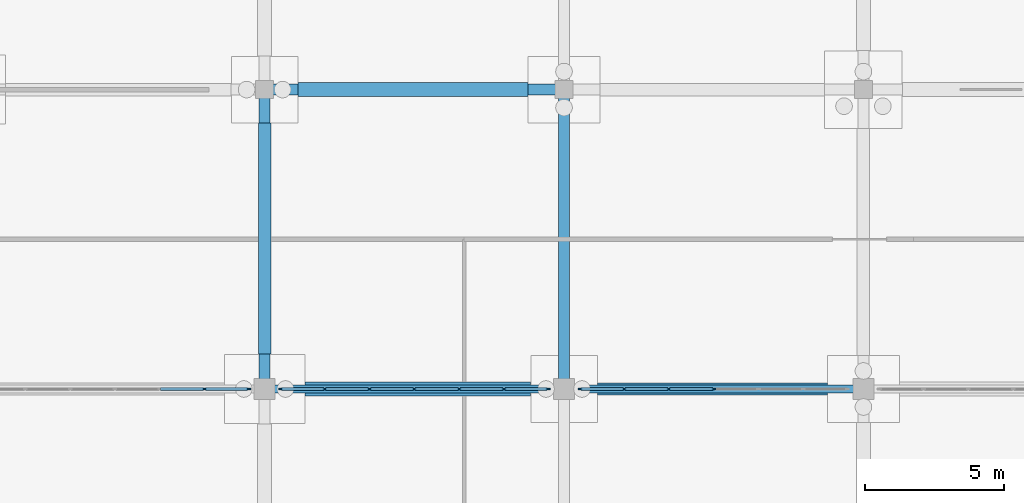
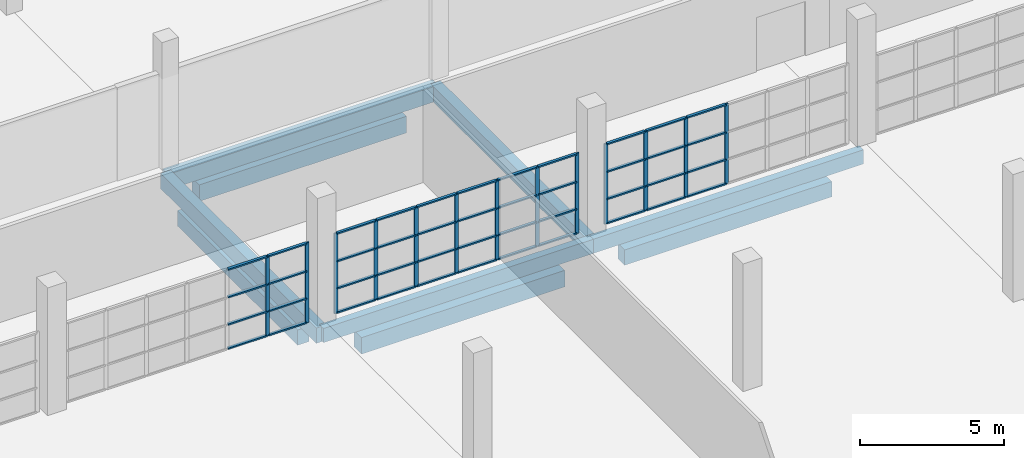
# One storey, part 74 of 138: 57 members, 9 beams, 3 elements without a shape of their own.
"""IFC4 building model written with IfcOpenShell, lengths in metres."""

from ifc_helpers import new_model, si_unit, direction, frame, origin, origin_2d, place, context, subcontext, project, spatial, rectangle, extrude, material, material_profile, profile_set, type_object, element, aggregate, save


model = new_model("IFC4")

# Units and contexts
model_context = context("Model", 3, precision=1e-05, world=origin(), true_north=direction((0.0, 1.0)))
body_context = subcontext(model_context, "Body", "Model", "MODEL_VIEW")
ifc_project = project(units=[si_unit("LENGTHUNIT", "METRE"), si_unit("AREAUNIT", "SQUARE_METRE"), si_unit("VOLUMEUNIT", "CUBIC_METRE"), si_unit("PLANEANGLEUNIT", "RADIAN"), si_unit("MASSUNIT", "GRAM", prefix="KILO")], contexts=[model_context])

# Site, building, storey
site_placement = place(None, origin())
site = spatial("IfcSite", under=ifc_project, at=site_placement, CompositionType="ELEMENT")
building_placement = place(site_placement, origin())
building = spatial("IfcBuilding", under=site, at=building_placement, Name="Zwinboog Wholesale Market", CompositionType="ELEMENT")
storey_placement = place(building_placement, origin())
storey = spatial("IfcBuildingStorey", under=building, at=storey_placement, Name="L00", CompositionType="ELEMENT", Elevation=0.0)

# Beams
ifc_material_1 = material(Name="Precast concrete C45/55", Category="concrete")
ifc_material_profile_1 = material_profile(ifc_material_1, rectangle(XDim=0.39990234375, YDim=0.64990234375, at=origin_2d()), Name="PC 400x650")
ifc_profile_set_1 = profile_set([ifc_material_profile_1], Name="Precast concrete C45/55")
beam_type_1 = type_object("IfcBeamType", Name="BT-05", PredefinedType="BEAM", material=ifc_profile_set_1)
beam_1_placement = place(storey_placement, frame((129.60009765625, 108.0, -0.68994140625), z_axis=(1.0, 0.0, 0.0), x_axis=(0.0, 1.0, 0.0)))
element("IfcBeam", 1, at=beam_1_placement, inside=storey, type_object=beam_type_1, Name="BG-05 (BMG-L00-1296-1080-0163)", PredefinedType="BEAM", context=body_context, shape_type="SweptSolid", body=[
    extrude(rectangle(XDim=0.39990234375, YDim=0.64990234375, at=origin_2d()), origin(), (0.0, 0.0, 1.0), 10.7998046875),
])
for number, where, z_axis, x_axis, name in (
    (2, (129.60009765625, 97.199951171875, -0.68994140625), (0.0, 1.0, 0.0), (-1.0, 0.0, 0.0), "BG-05 (BMG-L00-1296-0972-0338)"),
    (3, (140.39990234375, 97.199951171875, -0.68994140625), (0.0, 1.0, 0.0), (-1.0, 0.0, 0.0), "BG-05 (BMG-L00-1404-0972-0350)"),
):
    element("IfcBeam", number, at=place(storey_placement, frame(where, z_axis=z_axis, x_axis=x_axis)), inside=storey, type_object=beam_type_1, Name=name, PredefinedType="BEAM", context=body_context, shape_type="SweptSolid", body=[
        extrude(rectangle(XDim=0.39990234375, YDim=0.64990234375, at=origin_2d()), origin(), (0.0, 0.0, 1.0), 10.800048828125),
    ])
ifc_material_profile_2 = material_profile(ifc_material_1, rectangle(XDim=0.300048828125, YDim=0.60009765625, at=origin_2d()), Name="PC 300x600")
ifc_profile_set_2 = profile_set([ifc_material_profile_2], Name="Precast concrete C45/55")
beam_type_2 = type_object("IfcBeamType", Name="BT-09", PredefinedType="SPANDREL", material=ifc_profile_set_2)
beam_2_placement = place(storey_placement, frame((129.60009765625, 97.199951171875, -0.6650390625), z_axis=(1.0, 0.0, 0.0), x_axis=(0.0, 1.0, 0.0)))
element("IfcBeam", 4, at=beam_2_placement, inside=storey, type_object=beam_type_2, Name="SP-02 (BMG-L00-1296-0972-0143)", PredefinedType="SPANDREL", context=body_context, shape_type="SweptSolid", body=[
    extrude(rectangle(XDim=0.300048828125, YDim=0.60009765625, at=origin_2d()), origin(), (0.0, 0.0, 1.0), 10.7998046875),
])
beam_3_placement = place(storey_placement, frame((140.39990234375, 97.199951171875, -0.6650390625), z_axis=(1.0, 0.0, 0.0), x_axis=(0.0, 1.0, 0.0)))
element("IfcBeam", 5, at=beam_3_placement, inside=storey, type_object=beam_type_2, Name="SP-02 (BMG-L00-1404-0972-0144)", PredefinedType="SPANDREL", context=body_context, shape_type="SweptSolid", body=[
    extrude(rectangle(XDim=0.300048828125, YDim=0.60009765625, at=origin_2d()), origin(), (0.0, 0.0, 1.0), 10.800048828125),
])
ifc_material_2 = material(Name="Concrete C35/45", Category="concrete")
ifc_material_profile_3 = material_profile(ifc_material_2, rectangle(XDim=0.5, YDim=0.699951171875, at=origin_2d()), Name="RC 500x700")
ifc_profile_set_3 = profile_set([ifc_material_profile_3], Name="Concrete C35/45")
beam_type_3 = type_object("IfcBeamType", Name="BT-12", PredefinedType="USERDEFINED", material=ifc_profile_set_3)
beam_4_placement = place(storey_placement, frame((131.054931640625, 97.199951171875, -1.550048828125), z_axis=(1.0, 0.0, 0.0), x_axis=(0.0, 1.0, 0.0)))
element("IfcBeam", 6, at=beam_4_placement, inside=storey, type_object=beam_type_3, Name="GB-01 (BM-GB-0079)", ObjectType="GROUND_BEAM", PredefinedType="USERDEFINED", context=body_context, shape_type="SweptSolid", body=[
    extrude(rectangle(XDim=0.5, YDim=0.699951171875, at=origin_2d()), origin(), (0.0, 0.0, 1.0), 8.14013671875),
])
beam_5_placement = place(storey_placement, frame((130.804931640625, 108.0, -1.550048828125), z_axis=(1.0, 0.0, 0.0), x_axis=(0.0, 1.0, 0.0)))
element("IfcBeam", 7, at=beam_5_placement, inside=storey, type_object=beam_type_3, Name="GB-01 (BM-GB-0099)", ObjectType="GROUND_BEAM", PredefinedType="USERDEFINED", context=body_context, shape_type="SweptSolid", body=[
    extrude(rectangle(XDim=0.5, YDim=0.699951171875, at=origin_2d()), origin(), (0.0, 0.0, 1.0), 8.2900390625),
])
ifc_material_profile_4 = material_profile(ifc_material_2, rectangle(XDim=0.449951171875, YDim=0.64990234375, at=origin_2d()), Name="RC 450x650")
ifc_profile_set_4 = profile_set([ifc_material_profile_4], Name="Concrete C35/45")
beam_type_4 = type_object("IfcBeamType", Name="BT-13", PredefinedType="USERDEFINED", material=ifc_profile_set_4)
beam_6_placement = place(storey_placement, frame((141.60498046875, 97.199951171875, -1.52490234375), z_axis=(1.0, 0.0, 0.0), x_axis=(0.0, 1.0, 0.0)))
element("IfcBeam", 8, at=beam_6_placement, inside=storey, type_object=beam_type_4, Name="GB-02 (BM-GB-0080)", ObjectType="GROUND_BEAM", PredefinedType="USERDEFINED", context=body_context, shape_type="SweptSolid", body=[
    extrude(rectangle(XDim=0.449951171875, YDim=0.64990234375, at=origin_2d()), origin(), (0.0, 0.0, 1.0), 8.2900390625),
])
beam_7_placement = place(storey_placement, frame((129.60009765625, 98.455078125, -1.52490234375), z_axis=(0.0, 1.0, 0.0), x_axis=(-1.0, 0.0, 0.0)))
element("IfcBeam", 9, at=beam_7_placement, inside=storey, type_object=beam_type_4, Name="GB-02 (BM-GB-0181)", ObjectType="GROUND_BEAM", PredefinedType="USERDEFINED", context=body_context, shape_type="SweptSolid", body=[
    extrude(rectangle(XDim=0.449951171875, YDim=0.64990234375, at=origin_2d()), origin(), (0.0, 0.0, 1.0), 8.33984375),
])

# Curtain wall, members
ifc_material_3 = material(Name="Aluminium thermally broken curtain wall", Category="aluminium")
curtain_wall_type = type_object("IfcCurtainWallType", Name="CWT-INT-STALL", PredefinedType="USERDEFINED", material=ifc_material_3)
curtain_wall_1_placement = place(storey_placement, origin())
curtain_wall_1 = element("IfcCurtainWall", 10, at=curtain_wall_1_placement, inside=storey, type_object=curtain_wall_type, Name="CW-07 (CW-STL-204)", ObjectType="STOREFRONT_GLAZING", PredefinedType="USERDEFINED")
ifc_material_4 = material(Name="Aluminium EN AW-6060", Category="aluminium")
ifc_material_profile_5 = material_profile(ifc_material_4, rectangle(XDim=0.06005859375, YDim=0.14990234375, at=origin_2d()), Name="AL 60x150")
ifc_profile_set_5 = profile_set([ifc_material_profile_5], Name="Aluminium EN AW-6060")
member_type_1 = type_object("IfcMemberType", Name="CWM-INT-60x120", PredefinedType="MULLION", material=ifc_profile_set_5)
member_1_placement = place(storey_placement, frame((127.433349609375, 97.199951171875, 0.0), z_axis=(0.0, 0.0, 1.0), x_axis=(0.0, 1.0, 0.0)))
member_1 = element("IfcMember", 11, at=member_1_placement, type_object=member_type_1, Name="CW-07 mullion 6", PredefinedType="MULLION", context=body_context, shape_type="SweptSolid", body=[
    extrude(rectangle(XDim=0.06005859375, YDim=0.14990234375, at=origin_2d()), origin(), (0.0, 0.0, 1.0), 3.39990234375),
])
member_2_placement = place(storey_placement, frame((129.02001953125, 97.199951171875, 0.0), z_axis=(0.0, 0.0, 1.0), x_axis=(0.0, 1.0, 0.0)))
member_2 = element("IfcMember", 12, at=member_2_placement, type_object=member_type_1, Name="CW-07 mullion 7", PredefinedType="MULLION", context=body_context, shape_type="SweptSolid", body=[
    extrude(rectangle(XDim=0.06005859375, YDim=0.14990234375, at=origin_2d()), origin(), (0.0, 0.0, 1.0), 3.39990234375),
])

curtain_wall_2_placement = place(storey_placement, origin())
curtain_wall_2 = element("IfcCurtainWall", 13, at=curtain_wall_2_placement, inside=storey, type_object=curtain_wall_type, Name="CW-07 (CW-STL-205)", ObjectType="STOREFRONT_GLAZING", PredefinedType="USERDEFINED")
member_3_placement = place(storey_placement, frame((130.179931640625, 97.199951171875, 0.0), z_axis=(0.0, 0.0, 1.0), x_axis=(0.0, 1.0, 0.0)))
member_3 = element("IfcMember", 14, at=member_3_placement, type_object=member_type_1, Name="CW-07 mullion 1", PredefinedType="MULLION", context=body_context, shape_type="SweptSolid", body=[
    extrude(rectangle(XDim=0.06005859375, YDim=0.14990234375, at=origin_2d()), origin(), (0.0, 0.0, 1.0), 3.39990234375),
])
member_4_placement = place(storey_placement, frame((131.7666015625, 97.199951171875, 0.0), z_axis=(0.0, 0.0, 1.0), x_axis=(0.0, 1.0, 0.0)))
member_4 = element("IfcMember", 15, at=member_4_placement, type_object=member_type_1, Name="CW-07 mullion 2", PredefinedType="MULLION", context=body_context, shape_type="SweptSolid", body=[
    extrude(rectangle(XDim=0.06005859375, YDim=0.14990234375, at=origin_2d()), origin(), (0.0, 0.0, 1.0), 3.39990234375),
])
member_5_placement = place(storey_placement, frame((133.38330078125, 97.199951171875, 0.0), z_axis=(0.0, 0.0, 1.0), x_axis=(0.0, 1.0, 0.0)))
member_5 = element("IfcMember", 16, at=member_5_placement, type_object=member_type_1, Name="CW-07 mullion 3", PredefinedType="MULLION", context=body_context, shape_type="SweptSolid", body=[
    extrude(rectangle(XDim=0.06005859375, YDim=0.14990234375, at=origin_2d()), origin(), (0.0, 0.0, 1.0), 3.39990234375),
])
member_6_placement = place(storey_placement, frame((135.0, 97.199951171875, 0.0), z_axis=(0.0, 0.0, 1.0), x_axis=(0.0, 1.0, 0.0)))
member_6 = element("IfcMember", 17, at=member_6_placement, type_object=member_type_1, Name="CW-07 mullion 4", PredefinedType="MULLION", context=body_context, shape_type="SweptSolid", body=[
    extrude(rectangle(XDim=0.06005859375, YDim=0.14990234375, at=origin_2d()), origin(), (0.0, 0.0, 1.0), 3.39990234375),
])
member_7_placement = place(storey_placement, frame((136.61669921875, 97.199951171875, 0.0), z_axis=(0.0, 0.0, 1.0), x_axis=(0.0, 1.0, 0.0)))
member_7 = element("IfcMember", 18, at=member_7_placement, type_object=member_type_1, Name="CW-07 mullion 5", PredefinedType="MULLION", context=body_context, shape_type="SweptSolid", body=[
    extrude(rectangle(XDim=0.06005859375, YDim=0.14990234375, at=origin_2d()), origin(), (0.0, 0.0, 1.0), 3.39990234375),
])
member_8_placement = place(storey_placement, frame((138.2333984375, 97.199951171875, 0.0), z_axis=(0.0, 0.0, 1.0), x_axis=(0.0, 1.0, 0.0)))
member_8 = element("IfcMember", 19, at=member_8_placement, type_object=member_type_1, Name="CW-07 mullion 6", PredefinedType="MULLION", context=body_context, shape_type="SweptSolid", body=[
    extrude(rectangle(XDim=0.06005859375, YDim=0.14990234375, at=origin_2d()), origin(), (0.0, 0.0, 1.0), 3.39990234375),
])
member_9_placement = place(storey_placement, frame((139.820068359375, 97.199951171875, 0.0), z_axis=(0.0, 0.0, 1.0), x_axis=(0.0, 1.0, 0.0)))
member_9 = element("IfcMember", 20, at=member_9_placement, type_object=member_type_1, Name="CW-07 mullion 7", PredefinedType="MULLION", context=body_context, shape_type="SweptSolid", body=[
    extrude(rectangle(XDim=0.06005859375, YDim=0.14990234375, at=origin_2d()), origin(), (0.0, 0.0, 1.0), 3.39990234375),
])

curtain_wall_3_placement = place(storey_placement, origin())
curtain_wall_3 = element("IfcCurtainWall", 21, at=curtain_wall_3_placement, inside=storey, type_object=curtain_wall_type, Name="CW-07 (CW-STL-206)", ObjectType="STOREFRONT_GLAZING", PredefinedType="USERDEFINED")
member_10_placement = place(storey_placement, frame((140.97998046875, 97.199951171875, 0.0), z_axis=(0.0, 0.0, 1.0), x_axis=(0.0, 1.0, 0.0)))
member_10 = element("IfcMember", 22, at=member_10_placement, type_object=member_type_1, Name="CW-07 mullion 1", PredefinedType="MULLION", context=body_context, shape_type="SweptSolid", body=[
    extrude(rectangle(XDim=0.06005859375, YDim=0.14990234375, at=origin_2d()), origin(), (0.0, 0.0, 1.0), 3.39990234375),
])
member_11_placement = place(storey_placement, frame((142.566650390625, 97.199951171875, 0.0), z_axis=(0.0, 0.0, 1.0), x_axis=(0.0, 1.0, 0.0)))
member_11 = element("IfcMember", 23, at=member_11_placement, type_object=member_type_1, Name="CW-07 mullion 2", PredefinedType="MULLION", context=body_context, shape_type="SweptSolid", body=[
    extrude(rectangle(XDim=0.06005859375, YDim=0.14990234375, at=origin_2d()), origin(), (0.0, 0.0, 1.0), 3.39990234375),
])
member_12_placement = place(storey_placement, frame((144.183349609375, 97.199951171875, 0.0), z_axis=(0.0, 0.0, 1.0), x_axis=(0.0, 1.0, 0.0)))
member_12 = element("IfcMember", 24, at=member_12_placement, type_object=member_type_1, Name="CW-07 mullion 3", PredefinedType="MULLION", context=body_context, shape_type="SweptSolid", body=[
    extrude(rectangle(XDim=0.06005859375, YDim=0.14990234375, at=origin_2d()), origin(), (0.0, 0.0, 1.0), 3.39990234375),
])
member_13_placement = place(storey_placement, frame((145.800048828125, 97.199951171875, 0.0), z_axis=(0.0, 0.0, 1.0), x_axis=(0.0, 1.0, 0.0)))
member_13 = element("IfcMember", 25, at=member_13_placement, type_object=member_type_1, Name="CW-07 mullion 4", PredefinedType="MULLION", context=body_context, shape_type="SweptSolid", body=[
    extrude(rectangle(XDim=0.06005859375, YDim=0.14990234375, at=origin_2d()), origin(), (0.0, 0.0, 1.0), 3.39990234375),
])

# Member
ifc_material_profile_6 = material_profile(ifc_material_4, rectangle(XDim=0.110107421875, YDim=0.06005859375, at=origin_2d()), Name="AL 60x110")
ifc_profile_set_6 = profile_set([ifc_material_profile_6], Name="Aluminium EN AW-6060")
member_type_2 = type_object("IfcMemberType", Name="CWT-INT-60x100", PredefinedType="USERDEFINED", material=ifc_profile_set_6)
member_14_placement = place(storey_placement, frame((125.8466796875, 97.199951171875, 0.030029296875), z_axis=(1.0, 0.0, 0.0), x_axis=(0.0, 1.0, 0.0)))
member_14 = element("IfcMember", 26, at=member_14_placement, type_object=member_type_2, Name="CW-07 transom 5.1", ObjectType="TRANSOM", PredefinedType="USERDEFINED", context=body_context, shape_type="SweptSolid", body=[
    extrude(rectangle(XDim=0.110107421875, YDim=0.06005859375, at=origin_2d()), origin(), (0.0, 0.0, 1.0), 1.556640625),
])

member_15_placement = place(storey_placement, frame((125.8466796875, 97.199951171875, 1.050048828125), z_axis=(1.0, 0.0, 0.0), x_axis=(0.0, 1.0, 0.0)))
member_15 = element("IfcMember", 27, at=member_15_placement, type_object=member_type_2, Name="CW-07 transom 5.2", ObjectType="TRANSOM", PredefinedType="USERDEFINED", context=body_context, shape_type="SweptSolid", body=[
    extrude(rectangle(XDim=0.110107421875, YDim=0.06005859375, at=origin_2d()), origin(), (0.0, 0.0, 1.0), 1.556640625),
])

member_16_placement = place(storey_placement, frame((125.8466796875, 97.199951171875, 2.199951171875), z_axis=(1.0, 0.0, 0.0), x_axis=(0.0, 1.0, 0.0)))
member_16 = element("IfcMember", 28, at=member_16_placement, type_object=member_type_2, Name="CW-07 transom 5.3", ObjectType="TRANSOM", PredefinedType="USERDEFINED", context=body_context, shape_type="SweptSolid", body=[
    extrude(rectangle(XDim=0.110107421875, YDim=0.06005859375, at=origin_2d()), origin(), (0.0, 0.0, 1.0), 1.556640625),
])

member_17_placement = place(storey_placement, frame((125.8466796875, 97.199951171875, 3.3701171875), z_axis=(1.0, 0.0, 0.0), x_axis=(0.0, 1.0, 0.0)))
member_17 = element("IfcMember", 29, at=member_17_placement, type_object=member_type_2, Name="CW-07 transom 5.4", ObjectType="TRANSOM", PredefinedType="USERDEFINED", context=body_context, shape_type="SweptSolid", body=[
    extrude(rectangle(XDim=0.110107421875, YDim=0.06005859375, at=origin_2d()), origin(), (0.0, 0.0, 1.0), 1.556640625),
])

member_18_placement = place(storey_placement, frame((127.46337890625, 97.199951171875, 0.030029296875), z_axis=(1.0, 0.0, 0.0), x_axis=(0.0, 1.0, 0.0)))
member_18 = element("IfcMember", 30, at=member_18_placement, type_object=member_type_2, Name="CW-07 transom 6.1", ObjectType="TRANSOM", PredefinedType="USERDEFINED", context=body_context, shape_type="SweptSolid", body=[
    extrude(rectangle(XDim=0.110107421875, YDim=0.06005859375, at=origin_2d()), origin(), (0.0, 0.0, 1.0), 1.526611328125),
])

member_19_placement = place(storey_placement, frame((127.46337890625, 97.199951171875, 1.050048828125), z_axis=(1.0, 0.0, 0.0), x_axis=(0.0, 1.0, 0.0)))
member_19 = element("IfcMember", 31, at=member_19_placement, type_object=member_type_2, Name="CW-07 transom 6.2", ObjectType="TRANSOM", PredefinedType="USERDEFINED", context=body_context, shape_type="SweptSolid", body=[
    extrude(rectangle(XDim=0.110107421875, YDim=0.06005859375, at=origin_2d()), origin(), (0.0, 0.0, 1.0), 1.526611328125),
])

member_20_placement = place(storey_placement, frame((127.46337890625, 97.199951171875, 2.199951171875), z_axis=(1.0, 0.0, 0.0), x_axis=(0.0, 1.0, 0.0)))
member_20 = element("IfcMember", 32, at=member_20_placement, type_object=member_type_2, Name="CW-07 transom 6.3", ObjectType="TRANSOM", PredefinedType="USERDEFINED", context=body_context, shape_type="SweptSolid", body=[
    extrude(rectangle(XDim=0.110107421875, YDim=0.06005859375, at=origin_2d()), origin(), (0.0, 0.0, 1.0), 1.526611328125),
])

member_21_placement = place(storey_placement, frame((127.46337890625, 97.199951171875, 3.3701171875), z_axis=(1.0, 0.0, 0.0), x_axis=(0.0, 1.0, 0.0)))
member_21 = element("IfcMember", 33, at=member_21_placement, type_object=member_type_2, Name="CW-07 transom 6.4", ObjectType="TRANSOM", PredefinedType="USERDEFINED", context=body_context, shape_type="SweptSolid", body=[
    extrude(rectangle(XDim=0.110107421875, YDim=0.06005859375, at=origin_2d()), origin(), (0.0, 0.0, 1.0), 1.526611328125),
])

aggregate(curtain_wall_1, [member_1, member_2, member_14, member_15, member_16, member_17, member_18, member_19, member_20, member_21])

member_22_placement = place(storey_placement, frame((130.2099609375, 97.199951171875, 0.030029296875), z_axis=(1.0, 0.0, 0.0), x_axis=(0.0, 1.0, 0.0)))
member_22 = element("IfcMember", 34, at=member_22_placement, type_object=member_type_2, Name="CW-07 transom 1.1", ObjectType="TRANSOM", PredefinedType="USERDEFINED", context=body_context, shape_type="SweptSolid", body=[
    extrude(rectangle(XDim=0.110107421875, YDim=0.06005859375, at=origin_2d()), origin(), (0.0, 0.0, 1.0), 1.526611328125),
])

member_23_placement = place(storey_placement, frame((130.2099609375, 97.199951171875, 1.050048828125), z_axis=(1.0, 0.0, 0.0), x_axis=(0.0, 1.0, 0.0)))
member_23 = element("IfcMember", 35, at=member_23_placement, type_object=member_type_2, Name="CW-07 transom 1.2", ObjectType="TRANSOM", PredefinedType="USERDEFINED", context=body_context, shape_type="SweptSolid", body=[
    extrude(rectangle(XDim=0.110107421875, YDim=0.06005859375, at=origin_2d()), origin(), (0.0, 0.0, 1.0), 1.526611328125),
])

member_24_placement = place(storey_placement, frame((130.2099609375, 97.199951171875, 2.199951171875), z_axis=(1.0, 0.0, 0.0), x_axis=(0.0, 1.0, 0.0)))
member_24 = element("IfcMember", 36, at=member_24_placement, type_object=member_type_2, Name="CW-07 transom 1.3", ObjectType="TRANSOM", PredefinedType="USERDEFINED", context=body_context, shape_type="SweptSolid", body=[
    extrude(rectangle(XDim=0.110107421875, YDim=0.06005859375, at=origin_2d()), origin(), (0.0, 0.0, 1.0), 1.526611328125),
])

member_25_placement = place(storey_placement, frame((130.2099609375, 97.199951171875, 3.3701171875), z_axis=(1.0, 0.0, 0.0), x_axis=(0.0, 1.0, 0.0)))
member_25 = element("IfcMember", 37, at=member_25_placement, type_object=member_type_2, Name="CW-07 transom 1.4", ObjectType="TRANSOM", PredefinedType="USERDEFINED", context=body_context, shape_type="SweptSolid", body=[
    extrude(rectangle(XDim=0.110107421875, YDim=0.06005859375, at=origin_2d()), origin(), (0.0, 0.0, 1.0), 1.526611328125),
])

member_26_placement = place(storey_placement, frame((131.796630859375, 97.199951171875, 0.030029296875), z_axis=(1.0, 0.0, 0.0), x_axis=(0.0, 1.0, 0.0)))
member_26 = element("IfcMember", 38, at=member_26_placement, type_object=member_type_2, Name="CW-07 transom 2.1", ObjectType="TRANSOM", PredefinedType="USERDEFINED", context=body_context, shape_type="SweptSolid", body=[
    extrude(rectangle(XDim=0.110107421875, YDim=0.06005859375, at=origin_2d()), origin(), (0.0, 0.0, 1.0), 1.556640625),
])

member_27_placement = place(storey_placement, frame((131.796630859375, 97.199951171875, 1.050048828125), z_axis=(1.0, 0.0, 0.0), x_axis=(0.0, 1.0, 0.0)))
member_27 = element("IfcMember", 39, at=member_27_placement, type_object=member_type_2, Name="CW-07 transom 2.2", ObjectType="TRANSOM", PredefinedType="USERDEFINED", context=body_context, shape_type="SweptSolid", body=[
    extrude(rectangle(XDim=0.110107421875, YDim=0.06005859375, at=origin_2d()), origin(), (0.0, 0.0, 1.0), 1.556640625),
])

member_28_placement = place(storey_placement, frame((131.796630859375, 97.199951171875, 2.199951171875), z_axis=(1.0, 0.0, 0.0), x_axis=(0.0, 1.0, 0.0)))
member_28 = element("IfcMember", 40, at=member_28_placement, type_object=member_type_2, Name="CW-07 transom 2.3", ObjectType="TRANSOM", PredefinedType="USERDEFINED", context=body_context, shape_type="SweptSolid", body=[
    extrude(rectangle(XDim=0.110107421875, YDim=0.06005859375, at=origin_2d()), origin(), (0.0, 0.0, 1.0), 1.556640625),
])

member_29_placement = place(storey_placement, frame((131.796630859375, 97.199951171875, 3.3701171875), z_axis=(1.0, 0.0, 0.0), x_axis=(0.0, 1.0, 0.0)))
member_29 = element("IfcMember", 41, at=member_29_placement, type_object=member_type_2, Name="CW-07 transom 2.4", ObjectType="TRANSOM", PredefinedType="USERDEFINED", context=body_context, shape_type="SweptSolid", body=[
    extrude(rectangle(XDim=0.110107421875, YDim=0.06005859375, at=origin_2d()), origin(), (0.0, 0.0, 1.0), 1.556640625),
])

member_30_placement = place(storey_placement, frame((133.413330078125, 97.199951171875, 0.030029296875), z_axis=(1.0, 0.0, 0.0), x_axis=(0.0, 1.0, 0.0)))
member_30 = element("IfcMember", 42, at=member_30_placement, type_object=member_type_2, Name="CW-07 transom 3.1", ObjectType="TRANSOM", PredefinedType="USERDEFINED", context=body_context, shape_type="SweptSolid", body=[
    extrude(rectangle(XDim=0.110107421875, YDim=0.06005859375, at=origin_2d()), origin(), (0.0, 0.0, 1.0), 1.556640625),
])

member_31_placement = place(storey_placement, frame((133.413330078125, 97.199951171875, 1.050048828125), z_axis=(1.0, 0.0, 0.0), x_axis=(0.0, 1.0, 0.0)))
member_31 = element("IfcMember", 43, at=member_31_placement, type_object=member_type_2, Name="CW-07 transom 3.2", ObjectType="TRANSOM", PredefinedType="USERDEFINED", context=body_context, shape_type="SweptSolid", body=[
    extrude(rectangle(XDim=0.110107421875, YDim=0.06005859375, at=origin_2d()), origin(), (0.0, 0.0, 1.0), 1.556640625),
])

member_32_placement = place(storey_placement, frame((133.413330078125, 97.199951171875, 2.199951171875), z_axis=(1.0, 0.0, 0.0), x_axis=(0.0, 1.0, 0.0)))
member_32 = element("IfcMember", 44, at=member_32_placement, type_object=member_type_2, Name="CW-07 transom 3.3", ObjectType="TRANSOM", PredefinedType="USERDEFINED", context=body_context, shape_type="SweptSolid", body=[
    extrude(rectangle(XDim=0.110107421875, YDim=0.06005859375, at=origin_2d()), origin(), (0.0, 0.0, 1.0), 1.556640625),
])

member_33_placement = place(storey_placement, frame((133.413330078125, 97.199951171875, 3.3701171875), z_axis=(1.0, 0.0, 0.0), x_axis=(0.0, 1.0, 0.0)))
member_33 = element("IfcMember", 45, at=member_33_placement, type_object=member_type_2, Name="CW-07 transom 3.4", ObjectType="TRANSOM", PredefinedType="USERDEFINED", context=body_context, shape_type="SweptSolid", body=[
    extrude(rectangle(XDim=0.110107421875, YDim=0.06005859375, at=origin_2d()), origin(), (0.0, 0.0, 1.0), 1.556640625),
])

member_34_placement = place(storey_placement, frame((135.030029296875, 97.199951171875, 0.030029296875), z_axis=(1.0, 0.0, 0.0), x_axis=(0.0, 1.0, 0.0)))
member_34 = element("IfcMember", 46, at=member_34_placement, type_object=member_type_2, Name="CW-07 transom 4.1", ObjectType="TRANSOM", PredefinedType="USERDEFINED", context=body_context, shape_type="SweptSolid", body=[
    extrude(rectangle(XDim=0.110107421875, YDim=0.06005859375, at=origin_2d()), origin(), (0.0, 0.0, 1.0), 1.556640625),
])

member_35_placement = place(storey_placement, frame((135.030029296875, 97.199951171875, 1.050048828125), z_axis=(1.0, 0.0, 0.0), x_axis=(0.0, 1.0, 0.0)))
member_35 = element("IfcMember", 47, at=member_35_placement, type_object=member_type_2, Name="CW-07 transom 4.2", ObjectType="TRANSOM", PredefinedType="USERDEFINED", context=body_context, shape_type="SweptSolid", body=[
    extrude(rectangle(XDim=0.110107421875, YDim=0.06005859375, at=origin_2d()), origin(), (0.0, 0.0, 1.0), 1.556640625),
])

member_36_placement = place(storey_placement, frame((135.030029296875, 97.199951171875, 2.199951171875), z_axis=(1.0, 0.0, 0.0), x_axis=(0.0, 1.0, 0.0)))
member_36 = element("IfcMember", 48, at=member_36_placement, type_object=member_type_2, Name="CW-07 transom 4.3", ObjectType="TRANSOM", PredefinedType="USERDEFINED", context=body_context, shape_type="SweptSolid", body=[
    extrude(rectangle(XDim=0.110107421875, YDim=0.06005859375, at=origin_2d()), origin(), (0.0, 0.0, 1.0), 1.556640625),
])

member_37_placement = place(storey_placement, frame((135.030029296875, 97.199951171875, 3.3701171875), z_axis=(1.0, 0.0, 0.0), x_axis=(0.0, 1.0, 0.0)))
member_37 = element("IfcMember", 49, at=member_37_placement, type_object=member_type_2, Name="CW-07 transom 4.4", ObjectType="TRANSOM", PredefinedType="USERDEFINED", context=body_context, shape_type="SweptSolid", body=[
    extrude(rectangle(XDim=0.110107421875, YDim=0.06005859375, at=origin_2d()), origin(), (0.0, 0.0, 1.0), 1.556640625),
])

member_38_placement = place(storey_placement, frame((136.646728515625, 97.199951171875, 0.030029296875), z_axis=(1.0, 0.0, 0.0), x_axis=(0.0, 1.0, 0.0)))
member_38 = element("IfcMember", 50, at=member_38_placement, type_object=member_type_2, Name="CW-07 transom 5.1", ObjectType="TRANSOM", PredefinedType="USERDEFINED", context=body_context, shape_type="SweptSolid", body=[
    extrude(rectangle(XDim=0.110107421875, YDim=0.06005859375, at=origin_2d()), origin(), (0.0, 0.0, 1.0), 1.556640625),
])

member_39_placement = place(storey_placement, frame((136.646728515625, 97.199951171875, 1.050048828125), z_axis=(1.0, 0.0, 0.0), x_axis=(0.0, 1.0, 0.0)))
member_39 = element("IfcMember", 51, at=member_39_placement, type_object=member_type_2, Name="CW-07 transom 5.2", ObjectType="TRANSOM", PredefinedType="USERDEFINED", context=body_context, shape_type="SweptSolid", body=[
    extrude(rectangle(XDim=0.110107421875, YDim=0.06005859375, at=origin_2d()), origin(), (0.0, 0.0, 1.0), 1.556640625),
])

member_40_placement = place(storey_placement, frame((136.646728515625, 97.199951171875, 2.199951171875), z_axis=(1.0, 0.0, 0.0), x_axis=(0.0, 1.0, 0.0)))
member_40 = element("IfcMember", 52, at=member_40_placement, type_object=member_type_2, Name="CW-07 transom 5.3", ObjectType="TRANSOM", PredefinedType="USERDEFINED", context=body_context, shape_type="SweptSolid", body=[
    extrude(rectangle(XDim=0.110107421875, YDim=0.06005859375, at=origin_2d()), origin(), (0.0, 0.0, 1.0), 1.556640625),
])

member_41_placement = place(storey_placement, frame((136.646728515625, 97.199951171875, 3.3701171875), z_axis=(1.0, 0.0, 0.0), x_axis=(0.0, 1.0, 0.0)))
member_41 = element("IfcMember", 53, at=member_41_placement, type_object=member_type_2, Name="CW-07 transom 5.4", ObjectType="TRANSOM", PredefinedType="USERDEFINED", context=body_context, shape_type="SweptSolid", body=[
    extrude(rectangle(XDim=0.110107421875, YDim=0.06005859375, at=origin_2d()), origin(), (0.0, 0.0, 1.0), 1.556640625),
])

member_42_placement = place(storey_placement, frame((138.263427734375, 97.199951171875, 0.030029296875), z_axis=(1.0, 0.0, 0.0), x_axis=(0.0, 1.0, 0.0)))
member_42 = element("IfcMember", 54, at=member_42_placement, type_object=member_type_2, Name="CW-07 transom 6.1", ObjectType="TRANSOM", PredefinedType="USERDEFINED", context=body_context, shape_type="SweptSolid", body=[
    extrude(rectangle(XDim=0.110107421875, YDim=0.06005859375, at=origin_2d()), origin(), (0.0, 0.0, 1.0), 1.526611328125),
])

member_43_placement = place(storey_placement, frame((138.263427734375, 97.199951171875, 1.050048828125), z_axis=(1.0, 0.0, 0.0), x_axis=(0.0, 1.0, 0.0)))
member_43 = element("IfcMember", 55, at=member_43_placement, type_object=member_type_2, Name="CW-07 transom 6.2", ObjectType="TRANSOM", PredefinedType="USERDEFINED", context=body_context, shape_type="SweptSolid", body=[
    extrude(rectangle(XDim=0.110107421875, YDim=0.06005859375, at=origin_2d()), origin(), (0.0, 0.0, 1.0), 1.526611328125),
])

member_44_placement = place(storey_placement, frame((138.263427734375, 97.199951171875, 2.199951171875), z_axis=(1.0, 0.0, 0.0), x_axis=(0.0, 1.0, 0.0)))
member_44 = element("IfcMember", 56, at=member_44_placement, type_object=member_type_2, Name="CW-07 transom 6.3", ObjectType="TRANSOM", PredefinedType="USERDEFINED", context=body_context, shape_type="SweptSolid", body=[
    extrude(rectangle(XDim=0.110107421875, YDim=0.06005859375, at=origin_2d()), origin(), (0.0, 0.0, 1.0), 1.526611328125),
])

member_45_placement = place(storey_placement, frame((138.263427734375, 97.199951171875, 3.3701171875), z_axis=(1.0, 0.0, 0.0), x_axis=(0.0, 1.0, 0.0)))
member_45 = element("IfcMember", 57, at=member_45_placement, type_object=member_type_2, Name="CW-07 transom 6.4", ObjectType="TRANSOM", PredefinedType="USERDEFINED", context=body_context, shape_type="SweptSolid", body=[
    extrude(rectangle(XDim=0.110107421875, YDim=0.06005859375, at=origin_2d()), origin(), (0.0, 0.0, 1.0), 1.526611328125),
])

aggregate(curtain_wall_2, [member_3, member_4, member_5, member_6, member_7, member_8, member_9, member_22, member_23, member_24, member_25, member_26, member_27, member_28, member_29, member_30, member_31, member_32, member_33, member_34, member_35, member_36, member_37, member_38, member_39, member_40, member_41, member_42, member_43, member_44, member_45])

member_46_placement = place(storey_placement, frame((141.010009765625, 97.199951171875, 0.030029296875), z_axis=(1.0, 0.0, 0.0), x_axis=(0.0, 1.0, 0.0)))
member_46 = element("IfcMember", 58, at=member_46_placement, type_object=member_type_2, Name="CW-07 transom 1.1", ObjectType="TRANSOM", PredefinedType="USERDEFINED", context=body_context, shape_type="SweptSolid", body=[
    extrude(rectangle(XDim=0.110107421875, YDim=0.06005859375, at=origin_2d()), origin(), (0.0, 0.0, 1.0), 1.526611328125),
])

member_47_placement = place(storey_placement, frame((141.010009765625, 97.199951171875, 1.050048828125), z_axis=(1.0, 0.0, 0.0), x_axis=(0.0, 1.0, 0.0)))
member_47 = element("IfcMember", 59, at=member_47_placement, type_object=member_type_2, Name="CW-07 transom 1.2", ObjectType="TRANSOM", PredefinedType="USERDEFINED", context=body_context, shape_type="SweptSolid", body=[
    extrude(rectangle(XDim=0.110107421875, YDim=0.06005859375, at=origin_2d()), origin(), (0.0, 0.0, 1.0), 1.526611328125),
])

member_48_placement = place(storey_placement, frame((141.010009765625, 97.199951171875, 2.199951171875), z_axis=(1.0, 0.0, 0.0), x_axis=(0.0, 1.0, 0.0)))
member_48 = element("IfcMember", 60, at=member_48_placement, type_object=member_type_2, Name="CW-07 transom 1.3", ObjectType="TRANSOM", PredefinedType="USERDEFINED", context=body_context, shape_type="SweptSolid", body=[
    extrude(rectangle(XDim=0.110107421875, YDim=0.06005859375, at=origin_2d()), origin(), (0.0, 0.0, 1.0), 1.526611328125),
])

member_49_placement = place(storey_placement, frame((141.010009765625, 97.199951171875, 3.3701171875), z_axis=(1.0, 0.0, 0.0), x_axis=(0.0, 1.0, 0.0)))
member_49 = element("IfcMember", 61, at=member_49_placement, type_object=member_type_2, Name="CW-07 transom 1.4", ObjectType="TRANSOM", PredefinedType="USERDEFINED", context=body_context, shape_type="SweptSolid", body=[
    extrude(rectangle(XDim=0.110107421875, YDim=0.06005859375, at=origin_2d()), origin(), (0.0, 0.0, 1.0), 1.526611328125),
])

member_50_placement = place(storey_placement, frame((142.5966796875, 97.199951171875, 0.030029296875), z_axis=(1.0, 0.0, 0.0), x_axis=(0.0, 1.0, 0.0)))
member_50 = element("IfcMember", 62, at=member_50_placement, type_object=member_type_2, Name="CW-07 transom 2.1", ObjectType="TRANSOM", PredefinedType="USERDEFINED", context=body_context, shape_type="SweptSolid", body=[
    extrude(rectangle(XDim=0.110107421875, YDim=0.06005859375, at=origin_2d()), origin(), (0.0, 0.0, 1.0), 1.556640625),
])

member_51_placement = place(storey_placement, frame((142.5966796875, 97.199951171875, 1.050048828125), z_axis=(1.0, 0.0, 0.0), x_axis=(0.0, 1.0, 0.0)))
member_51 = element("IfcMember", 63, at=member_51_placement, type_object=member_type_2, Name="CW-07 transom 2.2", ObjectType="TRANSOM", PredefinedType="USERDEFINED", context=body_context, shape_type="SweptSolid", body=[
    extrude(rectangle(XDim=0.110107421875, YDim=0.06005859375, at=origin_2d()), origin(), (0.0, 0.0, 1.0), 1.556640625),
])

member_52_placement = place(storey_placement, frame((142.5966796875, 97.199951171875, 2.199951171875), z_axis=(1.0, 0.0, 0.0), x_axis=(0.0, 1.0, 0.0)))
member_52 = element("IfcMember", 64, at=member_52_placement, type_object=member_type_2, Name="CW-07 transom 2.3", ObjectType="TRANSOM", PredefinedType="USERDEFINED", context=body_context, shape_type="SweptSolid", body=[
    extrude(rectangle(XDim=0.110107421875, YDim=0.06005859375, at=origin_2d()), origin(), (0.0, 0.0, 1.0), 1.556640625),
])

member_53_placement = place(storey_placement, frame((142.5966796875, 97.199951171875, 3.3701171875), z_axis=(1.0, 0.0, 0.0), x_axis=(0.0, 1.0, 0.0)))
member_53 = element("IfcMember", 65, at=member_53_placement, type_object=member_type_2, Name="CW-07 transom 2.4", ObjectType="TRANSOM", PredefinedType="USERDEFINED", context=body_context, shape_type="SweptSolid", body=[
    extrude(rectangle(XDim=0.110107421875, YDim=0.06005859375, at=origin_2d()), origin(), (0.0, 0.0, 1.0), 1.556640625),
])

member_54_placement = place(storey_placement, frame((144.21337890625, 97.199951171875, 0.030029296875), z_axis=(1.0, 0.0, 0.0), x_axis=(0.0, 1.0, 0.0)))
member_54 = element("IfcMember", 66, at=member_54_placement, type_object=member_type_2, Name="CW-07 transom 3.1", ObjectType="TRANSOM", PredefinedType="USERDEFINED", context=body_context, shape_type="SweptSolid", body=[
    extrude(rectangle(XDim=0.110107421875, YDim=0.06005859375, at=origin_2d()), origin(), (0.0, 0.0, 1.0), 1.556640625),
])

member_55_placement = place(storey_placement, frame((144.21337890625, 97.199951171875, 1.050048828125), z_axis=(1.0, 0.0, 0.0), x_axis=(0.0, 1.0, 0.0)))
member_55 = element("IfcMember", 67, at=member_55_placement, type_object=member_type_2, Name="CW-07 transom 3.2", ObjectType="TRANSOM", PredefinedType="USERDEFINED", context=body_context, shape_type="SweptSolid", body=[
    extrude(rectangle(XDim=0.110107421875, YDim=0.06005859375, at=origin_2d()), origin(), (0.0, 0.0, 1.0), 1.556640625),
])

member_56_placement = place(storey_placement, frame((144.21337890625, 97.199951171875, 2.199951171875), z_axis=(1.0, 0.0, 0.0), x_axis=(0.0, 1.0, 0.0)))
member_56 = element("IfcMember", 68, at=member_56_placement, type_object=member_type_2, Name="CW-07 transom 3.3", ObjectType="TRANSOM", PredefinedType="USERDEFINED", context=body_context, shape_type="SweptSolid", body=[
    extrude(rectangle(XDim=0.110107421875, YDim=0.06005859375, at=origin_2d()), origin(), (0.0, 0.0, 1.0), 1.556640625),
])

member_57_placement = place(storey_placement, frame((144.21337890625, 97.199951171875, 3.3701171875), z_axis=(1.0, 0.0, 0.0), x_axis=(0.0, 1.0, 0.0)))
member_57 = element("IfcMember", 69, at=member_57_placement, type_object=member_type_2, Name="CW-07 transom 3.4", ObjectType="TRANSOM", PredefinedType="USERDEFINED", context=body_context, shape_type="SweptSolid", body=[
    extrude(rectangle(XDim=0.110107421875, YDim=0.06005859375, at=origin_2d()), origin(), (0.0, 0.0, 1.0), 1.556640625),
])

aggregate(curtain_wall_3, [member_10, member_11, member_12, member_13, member_46, member_47, member_48, member_49, member_50, member_51, member_52, member_53, member_54, member_55, member_56, member_57])

save(model, "model.ifc")
